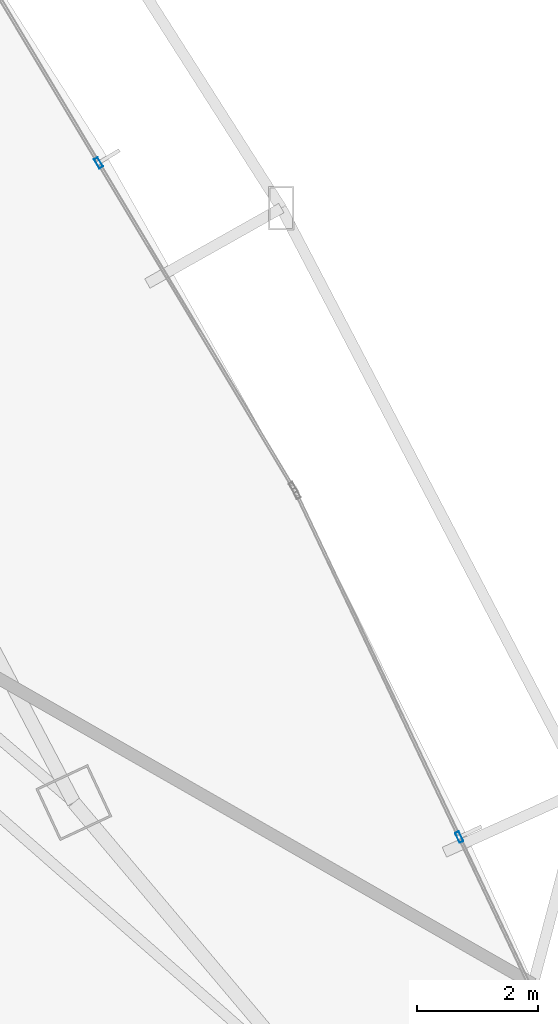
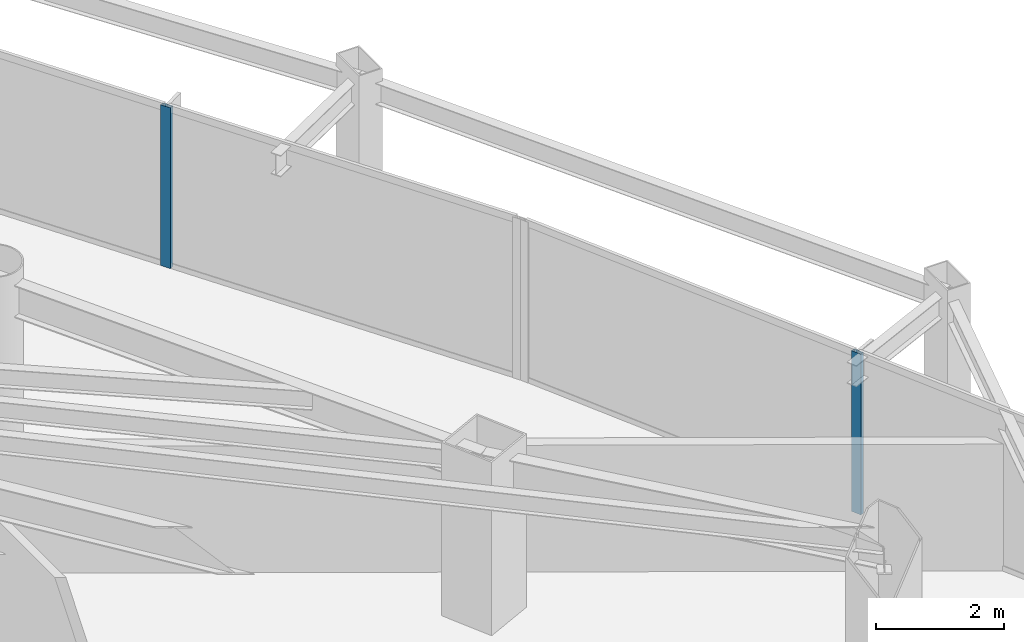
# One storey, part 20 of 37: 2 members, 2 elements without a shape of their own.
"""IFC4 building model written with IfcOpenShell, lengths in metres."""

from ifc_helpers import new_model, si_unit, direction, frame, origin, origin_2d, place, context, subcontext, project, spatial, hollow_rectangle, extrude, material, layer, layer_set, material_profile, profile_set, type_object, element, aggregate, save


model = new_model("IFC4")

# Units and contexts
model_context = context("Model", 3, precision=1e-05, world=origin(), true_north=direction((0.0, 1.0)))
body_context = subcontext(model_context, "Body", "Model", "MODEL_VIEW")
ifc_project = project(units=[si_unit("LENGTHUNIT", "METRE"), si_unit("AREAUNIT", "SQUARE_METRE"), si_unit("VOLUMEUNIT", "CUBIC_METRE"), si_unit("PLANEANGLEUNIT", "RADIAN"), si_unit("MASSUNIT", "GRAM", prefix="KILO")], contexts=[model_context])

# Site, building, storey
site_placement = place(None, origin())
site = spatial("IfcSite", under=ifc_project, at=site_placement, CompositionType="ELEMENT")
building_placement = place(site_placement, origin())
building = spatial("IfcBuilding", under=site, at=building_placement, Name="Orvanel Arch Residences", CompositionType="ELEMENT")
storey_placement = place(building_placement, frame((0.0, 0.0, 53.300048828125)))
storey = spatial("IfcBuildingStorey", under=building, at=storey_placement, Name="L14", CompositionType="ELEMENT", Elevation=53.300048828125)

# Curtain wall, member
ifc_material = material(Name="Bronze-anodised aluminium AA6063-T6", Category="aluminium")
ifc_layer = layer(ifc_material, 0.179931640625)
ifc_layer_set = layer_set([ifc_layer], Name="Bronze-anodised aluminium AA6063-T6")
curtain_wall_type = type_object("IfcCurtainWallType", Name="CW2-LOW-SYS", PredefinedType="NOTDEFINED", material=ifc_layer_set)
curtain_wall_1_placement = place(storey_placement, origin())
curtain_wall_1 = element("IfcCurtainWall", 1, at=curtain_wall_1_placement, inside=storey, type_object=curtain_wall_type, Name="L14 CW2-LOW-SYS Unitised Curtain Wall", PredefinedType="NOTDEFINED")
ifc_material_profile = material_profile(ifc_material, hollow_rectangle(XDim=0.070068359375, YDim=0.179931640625, WallThickness=0.00439453125, at=origin_2d()), Name="ALU180x70x4.5")
ifc_profile_set = profile_set([ifc_material_profile], Name="Bronze-anodised aluminium AA6063-T6")
member_type = type_object("IfcMemberType", Name="MUL-180x70", PredefinedType="MULLION", material=ifc_profile_set)
member_1_placement = place(storey_placement, frame((56.02392578125, 19.070556640625, 0.0), z_axis=(0.0, 0.0, 1.0), x_axis=(-0.903672014466, -0.428225279813, 0.0)))
member_1 = element("IfcMember", 2, at=member_1_placement, type_object=member_type, Name="CW-S2 mullion 2", PredefinedType="MULLION", context=body_context, shape_type="SweptSolid", body=[
    extrude(hollow_rectangle(XDim=0.070068359375, YDim=0.179931640625, WallThickness=0.00439453125, at=origin_2d()), origin(), (0.0, 0.0, 1.0), 3.06005859375),
])
aggregate(curtain_wall_1, [member_1])

curtain_wall_2_placement = place(storey_placement, origin())
curtain_wall_2 = element("IfcCurtainWall", 3, at=curtain_wall_2_placement, inside=storey, type_object=curtain_wall_type, Name="L14 CW2-LOW-SYS Unitised Curtain Wall", PredefinedType="NOTDEFINED")
member_2_placement = place(storey_placement, frame((50.0419921875, 30.25048828125, 0.0), z_axis=(0.0, 0.0, 1.0), x_axis=(-0.857569793125, -0.514367621375, 0.0)))
member_2 = element("IfcMember", 4, at=member_2_placement, type_object=member_type, Name="CW-S2 mullion 2", PredefinedType="MULLION", context=body_context, shape_type="SweptSolid", body=[
    extrude(hollow_rectangle(XDim=0.070068359375, YDim=0.179931640625, WallThickness=0.00439453125, at=origin_2d()), origin(), (0.0, 0.0, 1.0), 3.06005859375),
])
aggregate(curtain_wall_2, [member_2])

save(model, "model.ifc")
